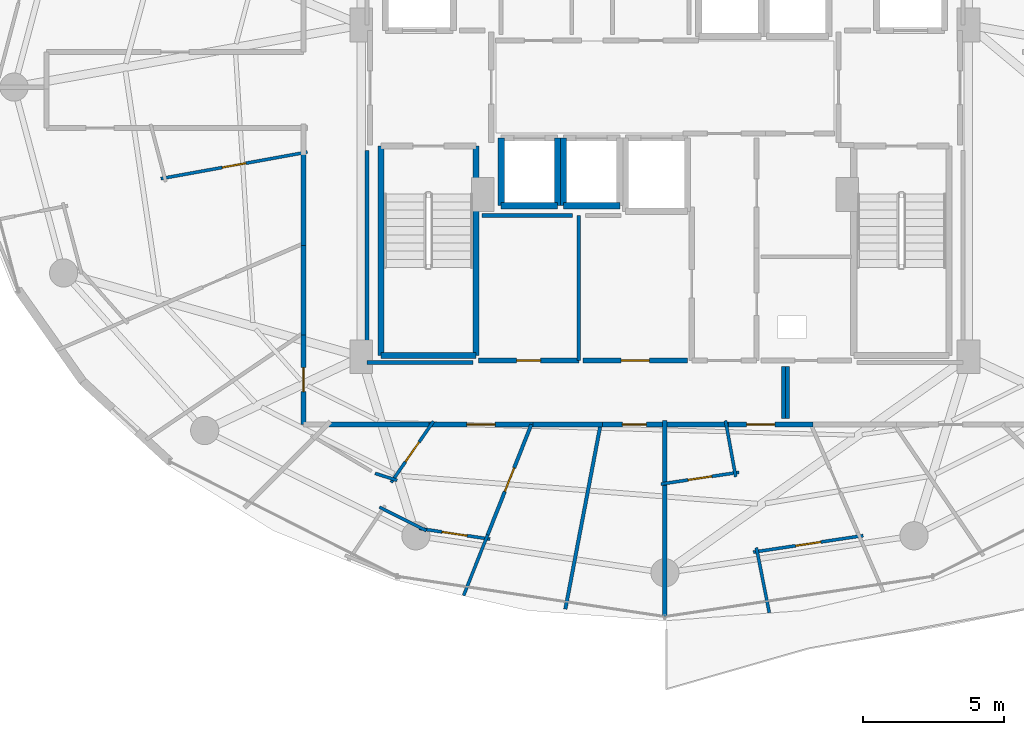
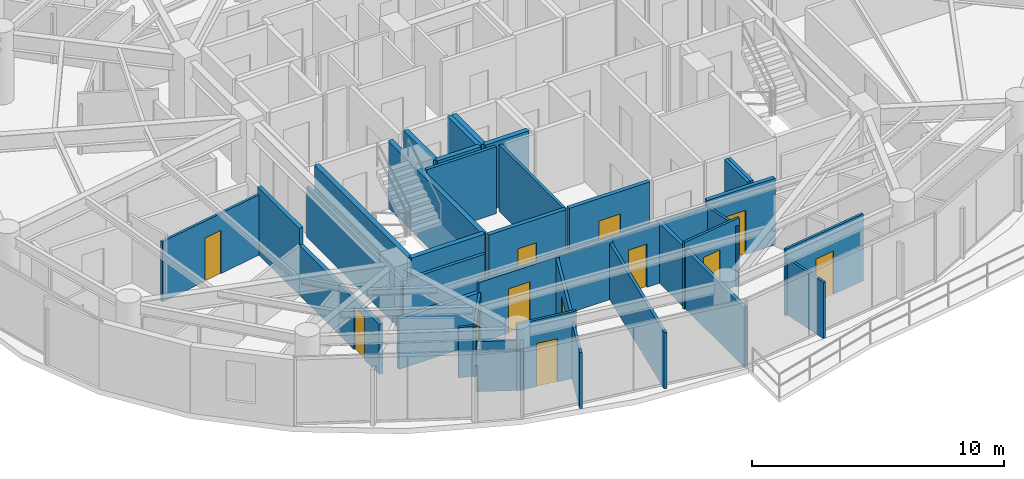
# One storey, part 22 of 31: 39 walls, 12 doors, 12 openings.
"""IFC4 building model written with IfcOpenShell, lengths in metres."""

from ifc_helpers import new_model, si_unit, direction, frame, frame_2d, origin, place, context, subcontext, project, spatial, rectangle, extrude, material, layer, layer_set, type_object, element, fill, save


model = new_model("IFC4")

# Units and contexts
model_context = context("Model", 3, precision=1e-05, world=origin(), true_north=direction((0.0, 1.0)))
body_context = subcontext(model_context, "Body", "Model", "MODEL_VIEW")
ifc_project = project(units=[si_unit("LENGTHUNIT", "METRE"), si_unit("AREAUNIT", "SQUARE_METRE"), si_unit("VOLUMEUNIT", "CUBIC_METRE"), si_unit("PLANEANGLEUNIT", "RADIAN"), si_unit("MASSUNIT", "GRAM", prefix="KILO")], contexts=[model_context])

# Site, building, storey
site_placement = place(None, origin())
site = spatial("IfcSite", under=ifc_project, at=site_placement, CompositionType="ELEMENT")
building_placement = place(site_placement, origin())
building = spatial("IfcBuilding", under=site, at=building_placement, Name="Vorneva Point Tower", CompositionType="ELEMENT")
storey_placement = place(building_placement, frame((0.0, 0.0, 132.60009765625)))
storey = spatial("IfcBuildingStorey", under=building, at=storey_placement, Name="L35", CompositionType="ELEMENT", Elevation=132.60009765625)

# Wall, opening, door
ifc_material_1 = material(Name="Fire-rated acoustic gypsum stud partition", Category="gypsum")
ifc_layer_1 = layer(ifc_material_1, 0.110107421875)
ifc_layer_set_1 = layer_set([ifc_layer_1], Name="Fire-rated acoustic gypsum stud partition")
wall_type_1 = type_object("IfcWallType", Name="WL-PART-110", PredefinedType="PARTITIONING", material=ifc_layer_set_1)
wall_1_placement = place(storey_placement, frame((25.337646484375, 23.699951171875, 0.0), z_axis=(0.0, 0.0, 1.0), x_axis=(-0.983892120625, -0.178763237197, 0.0)))
wall_1 = element("IfcWall", 1, at=wall_1_placement, inside=storey, type_object=wall_type_1, Name="L35 Interior Partition 104", PredefinedType="PARTITIONING", context=body_context, shape_type="SweptSolid", body=[
    extrude(rectangle(XDim=5.2744140625, YDim=0.110107421875, at=frame_2d((2.63720703125, 0.0))), origin(), (0.0, 0.0, 1.0), 2.921875),
])
opening_1_placement = place(wall_1_placement, frame((2.212158203125, 0.0, 0.0)))
opening_1 = element("IfcOpeningElement", 2, at=opening_1_placement, cuts=wall_1, Name="Opening ID-02", PredefinedType="OPENING", context=body_context, shape_type="SweptSolid", body=[
    extrude(rectangle(XDim=0.85009765625, YDim=2.10009765625, at=frame_2d((0.425048828125, 1.050048828125))), frame((0.0, 0.06982421875, 0.0), z_axis=(0.0, -1.0, 0.0), x_axis=(1.0, 0.0, 0.0)), (0.0, 0.0, 1.0), 0.139892578125),
])
ifc_material_2 = material(Name="Engineered oak fire-rated door leaf", Category="wood")
door_type_1 = type_object("IfcDoorType", Name="DR-BATH-850", OperationType="NOTDEFINED", PredefinedType="DOOR", material=ifc_material_2)
door_1_placement = place(opening_1_placement, origin())
door_1 = element("IfcDoor", 3, at=door_1_placement, inside=storey, type_object=door_type_1, Name="L35 Door Living and Dining Room L35-05 / Bathroom L35-05", OperationType="SINGLE_SWING_LEFT", OverallHeight=2.10009765625, OverallWidth=0.85009765625, PredefinedType="DOOR", context=body_context, shape_type="SweptSolid", body=[
    extrude(rectangle(XDim=0.85009765625, YDim=2.10009765625, at=frame_2d((0.425048828125, 1.050048828125))), frame((0.0, 0.02490234375, 0.0), z_axis=(0.0, -1.0, 0.0), x_axis=(1.0, 0.0, 0.0)), (0.0, 0.0, 1.0), 0.050048828125),
])
fill(opening_1, door_1)

wall_2_placement = place(storey_placement, frame((29.8037109375, 14.1650390625, 0.0), z_axis=(0.0, 0.0, 1.0), x_axis=(-0.569156972472, -0.822228885826, 0.0)))
wall_2 = element("IfcWall", 4, at=wall_2_placement, inside=storey, type_object=wall_type_1, Name="L35 Interior Partition 115", PredefinedType="PARTITIONING", context=body_context, shape_type="SweptSolid", body=[
    extrude(rectangle(XDim=2.634521484375, YDim=0.110107421875, at=frame_2d((1.3173828125, 0.0))), origin(), (0.0, 0.0, 1.0), 2.431884765625),
])
opening_2_placement = place(wall_2_placement, frame((0.892333984375, 0.0, 0.0)))
opening_2 = element("IfcOpeningElement", 5, at=opening_2_placement, cuts=wall_2, Name="Opening ID-02", PredefinedType="OPENING", context=body_context, shape_type="SweptSolid", body=[
    extrude(rectangle(XDim=0.85009765625, YDim=2.10009765625, at=frame_2d((0.425048828125, 1.050048828125))), frame((0.0, 0.06982421875, 0.0), z_axis=(0.0, -1.0, 0.0), x_axis=(1.0, 0.0, 0.0)), (0.0, 0.0, 1.0), 0.139892578125),
])
door_2_placement = place(opening_2_placement, origin())
door_2 = element("IfcDoor", 6, at=door_2_placement, inside=storey, type_object=door_type_1, Name="L35 Door Living and Dining Room L35-06 / Bathroom L35-06", OperationType="SINGLE_SWING_LEFT", OverallHeight=2.10009765625, OverallWidth=0.85009765625, PredefinedType="DOOR", context=body_context, shape_type="SweptSolid", body=[
    extrude(rectangle(XDim=0.85009765625, YDim=2.10009765625, at=frame_2d((0.425048828125, 1.050048828125))), frame((0.0, 0.02490234375, 0.0), z_axis=(0.0, -1.0, 0.0), x_axis=(1.0, 0.0, 0.0)), (0.0, 0.0, 1.0), 0.050048828125),
])
fill(opening_2, door_2)

# Walls
wall_3_placement = place(storey_placement, frame((28.517333984375, 12.0712890625, 0.0), z_axis=(0.0, 0.0, 1.0), x_axis=(-0.952627998304, 0.304137956932, 0.0)))
element("IfcWall", 7, at=wall_3_placement, inside=storey, type_object=wall_type_1, Name="L35 Interior Partition 116", PredefinedType="PARTITIONING", context=body_context, shape_type="SweptSolid", body=[
    extrude(rectangle(XDim=0.819580078125, YDim=0.110107421875, at=frame_2d((0.40966796875, 0.0))), origin(), (0.0, 0.0, 1.0), 2.431884765625),
])
wall_4_placement = place(storey_placement, frame((27.887939453125, 11.127197265625, 0.0), z_axis=(0.0, 0.0, 1.0), x_axis=(0.892534718882, -0.450978686403, 0.0)))
element("IfcWall", 8, at=wall_4_placement, inside=storey, type_object=wall_type_1, Name="L35 Interior Partition 119", PredefinedType="PARTITIONING", context=body_context, shape_type="SweptSolid", body=[
    extrude(rectangle(XDim=1.865478515625, YDim=0.110107421875, at=frame_2d((0.9326171875, 0.0))), origin(), (0.0, 0.0, 1.0), 2.431884765625),
])

# Wall, opening, door
wall_5_placement = place(storey_placement, frame((29.28955078125, 10.369873046875, 0.0), z_axis=(0.0, 0.0, 1.0), x_axis=(0.988887788943, -0.148663851958, 0.0)))
wall_5 = element("IfcWall", 9, at=wall_5_placement, inside=storey, type_object=wall_type_1, Name="L35 Interior Partition 120", PredefinedType="PARTITIONING", context=body_context, shape_type="SweptSolid", body=[
    extrude(rectangle(XDim=2.547119140625, YDim=0.110107421875, at=frame_2d((1.2734375, 0.0))), origin(), (0.0, 0.0, 1.0), 3.239990234375),
])
opening_3_placement = place(wall_5_placement, frame((0.823486328125, 0.0, 0.0)))
opening_3 = element("IfcOpeningElement", 10, at=opening_3_placement, cuts=wall_5, Name="Opening ID-01", PredefinedType="OPENING", context=body_context, shape_type="SweptSolid", body=[
    extrude(rectangle(XDim=0.89990234375, YDim=2.10009765625, at=frame_2d((0.449951171875, 1.050048828125))), frame((0.0, 0.06982421875, 0.0), z_axis=(0.0, -1.0, 0.0), x_axis=(1.0, 0.0, 0.0)), (0.0, 0.0, 1.0), 0.139892578125),
])
door_type_2 = type_object("IfcDoorType", Name="DR-ROOM-900", OperationType="NOTDEFINED", PredefinedType="DOOR", material=ifc_material_2)
door_3_placement = place(opening_3_placement, origin())
door_3 = element("IfcDoor", 11, at=door_3_placement, inside=storey, type_object=door_type_2, Name="L35 Door Living and Dining Room L35-06 / Kitchen L35-06", OperationType="SINGLE_SWING_RIGHT", OverallHeight=2.10009765625, OverallWidth=0.89990234375, PredefinedType="DOOR", context=body_context, shape_type="SweptSolid", body=[
    extrude(rectangle(XDim=0.89990234375, YDim=2.10009765625, at=frame_2d((0.449951171875, 1.050048828125))), frame((0.0, 0.02490234375, 0.0), z_axis=(0.0, -1.0, 0.0), x_axis=(1.0, 0.0, 0.0)), (0.0, 0.0, 1.0), 0.050048828125),
])
fill(opening_3, door_3)

# Walls
wall_6_placement = place(storey_placement, frame((31.721435546875, 10.14208984375, 0.0), z_axis=(0.0, 0.0, 1.0), x_axis=(-0.368016079814, -0.929819426017, 0.0)))
element("IfcWall", 12, at=wall_6_placement, inside=storey, type_object=wall_type_1, Name="L35 Interior Partition 121", PredefinedType="PARTITIONING", context=body_context, shape_type="SweptSolid", body=[
    extrude(rectangle(XDim=2.309326171875, YDim=0.110107421875, at=frame_2d((1.15478515625, 0.0))), origin(), (0.0, 0.0, 1.0), 2.727783203125),
])
wall_7_placement = place(storey_placement, frame((40.14599609375, 14.187744140625, 0.0), z_axis=(0.0, 0.0, 1.0), x_axis=(0.178662196449, -0.983910473346, 0.0)))
element("IfcWall", 13, at=wall_7_placement, inside=storey, type_object=wall_type_1, Name="L35 Interior Partition 127", PredefinedType="PARTITIONING", context=body_context, shape_type="SweptSolid", body=[
    extrude(rectangle(XDim=2.02099609375, YDim=0.110107421875, at=frame_2d((1.010498046875, 0.0))), origin(), (0.0, 0.0, 1.0), 2.921875),
])

# Wall, opening, door
wall_8_placement = place(storey_placement, frame((40.620361328125, 12.35791015625, 0.0), z_axis=(0.0, 0.0, 1.0), x_axis=(-0.988884941862, -0.148682789046, 0.0)))
wall_8 = element("IfcWall", 14, at=wall_8_placement, inside=storey, type_object=wall_type_1, Name="L35 Interior Partition 128", PredefinedType="PARTITIONING", context=body_context, shape_type="SweptSolid", body=[
    extrude(rectangle(XDim=2.789794921875, YDim=0.110107421875, at=frame_2d((1.39501953125, 0.0))), origin(), (0.0, 0.0, 1.0), 3.239990234375),
])
opening_4_placement = place(wall_8_placement, frame((0.969970703125, 0.0, 0.0)))
opening_4 = element("IfcOpeningElement", 15, at=opening_4_placement, cuts=wall_8, Name="Opening ID-02", PredefinedType="OPENING", context=body_context, shape_type="SweptSolid", body=[
    extrude(rectangle(XDim=0.85009765625, YDim=2.10009765625, at=frame_2d((0.425048828125, 1.050048828125))), frame((0.0, 0.06982421875, 0.0), z_axis=(0.0, -1.0, 0.0), x_axis=(1.0, 0.0, 0.0)), (0.0, 0.0, 1.0), 0.139892578125),
])
door_4_placement = place(opening_4_placement, origin())
door_4 = element("IfcDoor", 16, at=door_4_placement, inside=storey, type_object=door_type_1, Name="L35 Door Living and Dining Room L35-07 / Bathroom L35-07", OperationType="SINGLE_SWING_RIGHT", OverallHeight=2.10009765625, OverallWidth=0.85009765625, PredefinedType="DOOR", context=body_context, shape_type="SweptSolid", body=[
    extrude(rectangle(XDim=0.85009765625, YDim=2.10009765625, at=frame_2d((0.425048828125, 1.050048828125))), frame((0.0, 0.02490234375, 0.0), z_axis=(0.0, -1.0, 0.0), x_axis=(1.0, 0.0, 0.0)), (0.0, 0.0, 1.0), 0.050048828125),
])
fill(opening_4, door_4)

wall_9_placement = place(storey_placement, frame((41.127685546875, 9.5302734375, 0.0), z_axis=(0.0, 0.0, 1.0), x_axis=(0.988884902331, 0.148683051965, 0.0)))
wall_9 = element("IfcWall", 17, at=wall_9_placement, inside=storey, type_object=wall_type_1, Name="L35 Interior Partition 129", PredefinedType="PARTITIONING", context=body_context, shape_type="SweptSolid", body=[
    extrude(rectangle(XDim=3.9375, YDim=0.110107421875, at=frame_2d((1.96875, 0.0))), origin(), (0.0, 0.0, 1.0), 3.239990234375),
])
opening_5_placement = place(wall_9_placement, frame((1.518798828125, 0.0, 0.0)))
opening_5 = element("IfcOpeningElement", 18, at=opening_5_placement, cuts=wall_9, Name="Opening ID-01", PredefinedType="OPENING", context=body_context, shape_type="SweptSolid", body=[
    extrude(rectangle(XDim=0.89990234375, YDim=2.10009765625, at=frame_2d((0.449951171875, 1.050048828125))), frame((0.0, 0.06982421875, 0.0), z_axis=(0.0, -1.0, 0.0), x_axis=(1.0, 0.0, 0.0)), (0.0, 0.0, 1.0), 0.139892578125),
])
door_5_placement = place(opening_5_placement, origin())
door_5 = element("IfcDoor", 19, at=door_5_placement, inside=storey, type_object=door_type_2, Name="L35 Door Living and Dining Room L35-07 / Kitchen L35-07", OperationType="SINGLE_SWING_LEFT", OverallHeight=2.10009765625, OverallWidth=0.89990234375, PredefinedType="DOOR", context=body_context, shape_type="SweptSolid", body=[
    extrude(rectangle(XDim=0.89990234375, YDim=2.10009765625, at=frame_2d((0.449951171875, 1.050048828125))), frame((0.0, 0.02490234375, 0.0), z_axis=(0.0, -1.0, 0.0), x_axis=(1.0, 0.0, 0.0)), (0.0, 0.0, 1.0), 0.050048828125),
])
fill(opening_5, door_5)

# Walls
wall_10_placement = place(storey_placement, frame((41.6962890625, 7.38671875, 0.0), z_axis=(0.0, 0.0, 1.0), x_axis=(-0.194975537261, 0.980808105528, 0.0)))
element("IfcWall", 20, at=wall_10_placement, inside=storey, type_object=wall_type_1, Name="L35 Interior Partition 130", PredefinedType="PARTITIONING", context=body_context, shape_type="SweptSolid", body=[
    extrude(rectangle(XDim=2.346435546875, YDim=0.110107421875, at=frame_2d((1.17333984375, 0.0))), origin(), (0.0, 0.0, 1.0), 2.727783203125),
])
ifc_layer_2 = layer(ifc_material_1, 0.125)
ifc_layer_set_2 = layer_set([ifc_layer_2], Name="Fire-rated acoustic gypsum stud partition")
wall_type_2 = type_object("IfcWallType", Name="WL-PART-125", PredefinedType="PARTITIONING", material=ifc_layer_set_2)
wall_11_placement = place(storey_placement, frame((34.949951171875, 16.320068359375, 0.0), z_axis=(0.0, 0.0, 1.0), x_axis=(0.0, 1.0, 0.0)))
element("IfcWall", 21, at=wall_11_placement, inside=storey, type_object=wall_type_2, Name="L35 Interior Partition 031", PredefinedType="PARTITIONING", context=body_context, shape_type="SweptSolid", body=[
    extrude(rectangle(XDim=5.1298828125, YDim=0.125, at=frame_2d((2.56494140625, 0.0))), origin(), (0.0, 0.0, 1.0), 3.239990234375),
])

# Wall, opening, door
wall_12_placement = place(storey_placement, frame((31.7216796875, 10.14208984375, 0.0), z_axis=(0.0, 0.0, 1.0), x_axis=(0.368143652048, 0.929768923688, 0.0)))
wall_12 = element("IfcWall", 22, at=wall_12_placement, inside=storey, type_object=wall_type_2, Name="L35 Interior Partition 123", PredefinedType="PARTITIONING", context=body_context, shape_type="SweptSolid", body=[
    extrude(rectangle(XDim=4.203125, YDim=0.125, at=frame_2d((2.1015625, 0.0))), origin(), (0.0, 0.0, 1.0), 2.8740234375),
])
opening_6_placement = place(wall_12_placement, frame((1.651611328125, 0.0, 0.0)))
opening_6 = element("IfcOpeningElement", 23, at=opening_6_placement, cuts=wall_12, Name="Opening ID-01", PredefinedType="OPENING", context=body_context, shape_type="SweptSolid", body=[
    extrude(rectangle(XDim=0.89990234375, YDim=2.10009765625, at=frame_2d((0.449951171875, 1.050048828125))), frame((0.0, 0.077392578125, 0.0), z_axis=(0.0, -1.0, 0.0), x_axis=(1.0, 0.0, 0.0)), (0.0, 0.0, 1.0), 0.15478515625),
])
door_6_placement = place(opening_6_placement, origin())
door_6 = element("IfcDoor", 24, at=door_6_placement, inside=storey, type_object=door_type_2, Name="L35 Door Living and Dining Room L35-06 / Master Bedroom L35-06.1", OperationType="SINGLE_SWING_LEFT", OverallHeight=2.10009765625, OverallWidth=0.89990234375, PredefinedType="DOOR", context=body_context, shape_type="SweptSolid", body=[
    extrude(rectangle(XDim=0.89990234375, YDim=2.10009765625, at=frame_2d((0.449951171875, 1.050048828125))), frame((0.0, 0.02490234375, 0.0), z_axis=(0.0, -1.0, 0.0), x_axis=(1.0, 0.0, 0.0)), (0.0, 0.0, 1.0), 0.050048828125),
])
fill(opening_6, door_6)

# Walls
wall_13_placement = place(storey_placement, frame((34.47412109375, 7.512939453125, 0.0), z_axis=(0.0, 0.0, 1.0), x_axis=(0.187211570084, 0.982319616025, 0.0)))
element("IfcWall", 25, at=wall_13_placement, inside=storey, type_object=wall_type_2, Name="L35 Interior Partition 124", PredefinedType="PARTITIONING", context=body_context, shape_type="SweptSolid", body=[
    extrude(rectangle(XDim=6.65478515625, YDim=0.125, at=frame_2d((3.327392578125, 0.0))), origin(), (0.0, 0.0, 1.0), 2.727783203125),
])
ifc_layer_3 = layer(ifc_material_1, 0.139892578125)
ifc_layer_set_3 = layer_set([ifc_layer_3], Name="Fire-rated acoustic gypsum stud partition")
wall_type_3 = type_object("IfcWallType", Name="WL-PART-140", PredefinedType="PARTITIONING", material=ifc_layer_set_3)
wall_14_placement = place(storey_placement, frame((34.72998046875, 21.449951171875, 0.0), z_axis=(0.0, 0.0, 1.0), x_axis=(-1.0, 0.0, 0.0)))
element("IfcWall", 26, at=wall_14_placement, inside=storey, type_object=wall_type_3, Name="L35 Interior Closure Partition 139", PredefinedType="PARTITIONING", context=body_context, shape_type="SweptSolid", body=[
    extrude(rectangle(XDim=3.199951171875, YDim=0.139892578125, at=frame_2d((1.60009765625, 0.0))), origin(), (0.0, 0.0, 1.0), 3.239990234375),
])
wall_15_placement = place(storey_placement, frame((27.449951171875, 23.75390625, 0.0), z_axis=(0.0, 0.0, 1.0), x_axis=(0.0, -1.0, 0.0)))
element("IfcWall", 27, at=wall_15_placement, inside=storey, type_object=wall_type_3, Name="L35 Interior Closure Partition 150", PredefinedType="PARTITIONING", context=body_context, shape_type="SweptSolid", body=[
    extrude(rectangle(XDim=7.513916015625, YDim=0.139892578125, at=frame_2d((3.7568359375, 0.0))), origin(), (0.0, 0.0, 1.0), 2.431884765625),
])
wall_16_placement = place(storey_placement, frame((27.449951171875, 16.239990234375, 0.0), z_axis=(0.0, 0.0, 1.0), x_axis=(1.0, 0.0, 0.0)))
element("IfcWall", 28, at=wall_16_placement, inside=storey, type_object=wall_type_3, Name="L35 Interior Closure Partition 151", PredefinedType="PARTITIONING", context=body_context, shape_type="SweptSolid", body=[
    extrude(rectangle(XDim=3.7451171875, YDim=0.139892578125, at=frame_2d((1.87255859375, 0.0))), origin(), (0.0, 0.0, 1.0), 2.431884765625),
])
for number, where, z_axis, x_axis, name in (
    (29, (42.199951171875, 16.10009765625, 0.0), (0.0, 0.0, 1.0), (0.0, -1.0, 0.0), "L35 Interior Closure Partition 152"),
    (30, (42.340087890625, 14.27001953125, 0.0), (0.0, 0.0, 1.0), (0.0, 1.0, 0.0), "L35 Interior Closure Partition 153"),
):
    element("IfcWall", number, at=place(storey_placement, frame(where, z_axis=z_axis, x_axis=x_axis)), inside=storey, type_object=wall_type_3, Name=name, PredefinedType="PARTITIONING", context=body_context, shape_type="SweptSolid", body=[
        extrude(rectangle(XDim=1.830078125, YDim=0.139892578125, at=frame_2d((0.9150390625, 0.0))), origin(), (0.0, 0.0, 1.0), 3.239990234375),
    ])
ifc_layer_4 = layer(ifc_material_1, 0.159912109375)
ifc_layer_set_4 = layer_set([ifc_layer_4], Name="Fire-rated acoustic gypsum stud partition")
wall_type_4 = type_object("IfcWallType", Name="WL-PART-160", PredefinedType="PARTITIONING", material=ifc_layer_set_4)
wall_17_placement = place(storey_placement, frame((38.0, 7.25, 0.0), z_axis=(0.0, 0.0, 1.0), x_axis=(0.0, 1.0, 0.0)))
element("IfcWall", 31, at=wall_17_placement, inside=storey, type_object=wall_type_4, Name="L35 Interior Partition 125", PredefinedType="PARTITIONING", context=body_context, shape_type="SweptSolid", body=[
    extrude(rectangle(XDim=4.77490234375, YDim=0.159912109375, at=frame_2d((2.387451171875, 0.0))), origin(), (0.0, 0.0, 1.0), 2.8740234375),
])
wall_18_placement = place(storey_placement, frame((38.0, 11.885009765625, 0.0), z_axis=(0.0, 0.0, 1.0), x_axis=(0.0, 1.0, 0.0)))
element("IfcWall", 32, at=wall_18_placement, inside=storey, type_object=wall_type_4, Name="L35 Interior Partition 126", PredefinedType="PARTITIONING", context=body_context, shape_type="SweptSolid", body=[
    extrude(rectangle(XDim=2.304931640625, YDim=0.159912109375, at=frame_2d((1.15234375, 0.0))), origin(), (0.0, 0.0, 1.0), 2.921875),
])

# Wall, opening, door
ifc_material_3 = material(Name="Autoclaved aerated concrete blockwork", Category="masonry")
ifc_layer_5 = layer(ifc_material_3, 0.179931640625)
ifc_layer_set_5 = layer_set([ifc_layer_5], Name="Autoclaved aerated concrete blockwork")
wall_type_5 = type_object("IfcWallType", Name="WL-PART-180", PredefinedType="PARTITIONING", material=ifc_layer_set_5)
wall_19_placement = place(storey_placement, frame((31.39990234375, 16.320068359375, 0.0), z_axis=(0.0, 0.0, 1.0), x_axis=(1.0, 0.0, 0.0)))
wall_19 = element("IfcWall", 33, at=wall_19_placement, inside=storey, type_object=wall_type_5, Name="L35 Interior Partition 032", PredefinedType="PARTITIONING", context=body_context, shape_type="SweptSolid", body=[
    extrude(rectangle(XDim=3.550048828125, YDim=0.179931640625, at=frame_2d((1.77490234375, 0.0))), origin(), (0.0, 0.0, 1.0), 3.239990234375),
])
opening_7_placement = place(wall_19_placement, frame((1.35009765625, 0.0, 0.0)))
opening_7 = element("IfcOpeningElement", 34, at=opening_7_placement, cuts=wall_19, Name="Opening ID-02", PredefinedType="OPENING", context=body_context, shape_type="SweptSolid", body=[
    extrude(rectangle(XDim=0.85009765625, YDim=2.10009765625, at=frame_2d((0.425048828125, 1.050048828125))), frame((0.0, 0.10498046875, 0.0), z_axis=(0.0, -1.0, 0.0), x_axis=(1.0, 0.0, 0.0)), (0.0, 0.0, 1.0), 0.209716796875),
])
door_7_placement = place(opening_7_placement, origin())
door_7 = element("IfcDoor", 35, at=door_7_placement, inside=storey, type_object=door_type_1, Name="L35 Door Luggage Store / L35 Circulation Corridor", OperationType="SINGLE_SWING_LEFT", OverallHeight=2.10009765625, OverallWidth=0.85009765625, PredefinedType="DOOR", context=body_context, shape_type="SweptSolid", body=[
    extrude(rectangle(XDim=0.85009765625, YDim=2.10009765625, at=frame_2d((0.425048828125, 1.050048828125))), frame((0.0, 0.02490234375, 0.0), z_axis=(0.0, -1.0, 0.0), x_axis=(1.0, 0.0, 0.0)), (0.0, 0.0, 1.0), 0.050048828125),
])
fill(opening_7, door_7)

wall_20_placement = place(storey_placement, frame((35.10009765625, 16.320068359375, 0.0), z_axis=(0.0, 0.0, 1.0), x_axis=(1.0, 0.0, 0.0)))
wall_20 = element("IfcWall", 36, at=wall_20_placement, inside=storey, type_object=wall_type_5, Name="L35 Interior Partition 033", PredefinedType="PARTITIONING", context=body_context, shape_type="SweptSolid", body=[
    extrude(rectangle(XDim=3.699951171875, YDim=0.179931640625, at=frame_2d((1.85009765625, 0.0))), origin(), (0.0, 0.0, 1.0), 3.239990234375),
])
opening_8_placement = place(wall_20_placement, frame((1.35009765625, 0.0, 0.0)))
opening_8 = element("IfcOpeningElement", 37, at=opening_8_placement, cuts=wall_20, Name="Opening UD-01", PredefinedType="OPENING", context=body_context, shape_type="SweptSolid", body=[
    extrude(rectangle(XDim=1.0, YDim=2.14990234375, at=frame_2d((0.5, 1.074951171875))), frame((0.0, 0.10498046875, 0.0), z_axis=(0.0, -1.0, 0.0), x_axis=(1.0, 0.0, 0.0)), (0.0, 0.0, 1.0), 0.209716796875),
])
door_type_3 = type_object("IfcDoorType", Name="DR-UNIT-1000", OperationType="NOTDEFINED", PredefinedType="DOOR", material=ifc_material_2)
door_8_placement = place(opening_8_placement, origin())
door_8 = element("IfcDoor", 38, at=door_8_placement, inside=storey, type_object=door_type_3, Name="L35 Door Staff Service Pantry / L35 Circulation Corridor", OperationType="SINGLE_SWING_RIGHT", OverallHeight=2.14990234375, OverallWidth=1.0, PredefinedType="DOOR", context=body_context, shape_type="SweptSolid", body=[
    extrude(rectangle(XDim=1.0, YDim=2.14990234375, at=frame_2d((0.5, 1.074951171875))), frame((0.0, 0.02490234375, 0.0), z_axis=(0.0, -1.0, 0.0), x_axis=(1.0, 0.0, 0.0)), (0.0, 0.0, 1.0), 0.050048828125),
])
fill(opening_8, door_8)

# Walls
wall_21_placement = place(storey_placement, frame((25.199951171875, 23.735107421875, 0.0), z_axis=(0.0, 0.0, 1.0), x_axis=(0.0, -1.0, 0.0)))
element("IfcWall", 39, at=wall_21_placement, inside=storey, type_object=wall_type_5, Name="L35 Interior Partition 051", PredefinedType="PARTITIONING", context=body_context, shape_type="SweptSolid", body=[
    extrude(rectangle(XDim=3.339111328125, YDim=0.179931640625, at=frame_2d((1.66943359375, 0.0))), origin(), (0.0, 0.0, 1.0), 3.239990234375),
])
wall_22_placement = place(storey_placement, frame((25.199951171875, 20.39599609375, 0.0), z_axis=(0.0, 0.0, 1.0), x_axis=(0.0, -1.0, 0.0)))
element("IfcWall", 40, at=wall_22_placement, inside=storey, type_object=wall_type_5, Name="L35 Interior Partition 054", PredefinedType="PARTITIONING", context=body_context, shape_type="SweptSolid", body=[
    extrude(rectangle(XDim=3.16796875, YDim=0.179931640625, at=frame_2d((1.583984375, 0.0))), origin(), (0.0, 0.0, 1.0), 2.431884765625),
])

# Wall, opening, door
wall_23_placement = place(storey_placement, frame((25.199951171875, 17.22802734375, 0.0), z_axis=(0.0, 0.0, 1.0), x_axis=(0.0, -1.0, 0.0)))
wall_23 = element("IfcWall", 41, at=wall_23_placement, inside=storey, type_object=wall_type_5, Name="L35 Interior Partition 055", PredefinedType="PARTITIONING", context=body_context, shape_type="SweptSolid", body=[
    extrude(rectangle(XDim=3.177978515625, YDim=0.179931640625, at=frame_2d((1.5888671875, 0.0))), origin(), (0.0, 0.0, 1.0), 2.431884765625),
])
opening_9_placement = place(wall_23_placement, frame((1.1640625, 0.0, 0.0)))
opening_9 = element("IfcOpeningElement", 42, at=opening_9_placement, cuts=wall_23, Name="Opening ID-02", PredefinedType="OPENING", context=body_context, shape_type="SweptSolid", body=[
    extrude(rectangle(XDim=0.85009765625, YDim=2.10009765625, at=frame_2d((0.425048828125, 1.050048828125))), frame((0.0, 0.10498046875, 0.0), z_axis=(0.0, -1.0, 0.0), x_axis=(1.0, 0.0, 0.0)), (0.0, 0.0, 1.0), 0.209716796875),
])
door_9_placement = place(opening_9_placement, origin())
door_9 = element("IfcDoor", 43, at=door_9_placement, inside=storey, type_object=door_type_1, Name="L35 Access Door L35 Circulation Corridor", OperationType="SINGLE_SWING_LEFT", OverallHeight=2.10009765625, OverallWidth=0.85009765625, PredefinedType="DOOR", context=body_context, shape_type="SweptSolid", body=[
    extrude(rectangle(XDim=0.85009765625, YDim=2.10009765625, at=frame_2d((0.425048828125, 1.050048828125))), frame((0.0, 0.02490234375, 0.0), z_axis=(0.0, -1.0, 0.0), x_axis=(1.0, 0.0, 0.0)), (0.0, 0.0, 1.0), 0.050048828125),
])
fill(opening_9, door_9)

wall_24_placement = place(storey_placement, frame((29.65087890625, 14.050048828125, 0.0), z_axis=(0.0, 0.0, 1.0), x_axis=(1.0, 0.0, 0.0)))
wall_24 = element("IfcWall", 44, at=wall_24_placement, inside=storey, type_object=wall_type_5, Name="L35 Interior Partition 057", PredefinedType="PARTITIONING", context=body_context, shape_type="SweptSolid", body=[
    extrude(rectangle(XDim=3.67822265625, YDim=0.179931640625, at=frame_2d((1.839111328125, 0.0))), origin(), (0.0, 0.0, 1.0), 2.921875),
])
opening_10_placement = place(wall_24_placement, frame((1.339111328125, 0.0, 0.0)))
opening_10 = element("IfcOpeningElement", 45, at=opening_10_placement, cuts=wall_24, Name="Opening UD-01", PredefinedType="OPENING", context=body_context, shape_type="SweptSolid", body=[
    extrude(rectangle(XDim=1.0, YDim=2.14990234375, at=frame_2d((0.5, 1.074951171875))), frame((0.0, 0.10498046875, 0.0), z_axis=(0.0, -1.0, 0.0), x_axis=(1.0, 0.0, 0.0)), (0.0, 0.0, 1.0), 0.209716796875),
])
door_10_placement = place(opening_10_placement, origin())
door_10 = element("IfcDoor", 46, at=door_10_placement, inside=storey, type_object=door_type_3, Name="L35 Door L35 Circulation Corridor / Living and Dining Room L35-06", OperationType="SINGLE_SWING_RIGHT", OverallHeight=2.14990234375, OverallWidth=1.0, PredefinedType="DOOR", context=body_context, shape_type="SweptSolid", body=[
    extrude(rectangle(XDim=1.0, YDim=2.14990234375, at=frame_2d((0.5, 1.074951171875))), frame((0.0, 0.02490234375, 0.0), z_axis=(0.0, -1.0, 0.0), x_axis=(1.0, 0.0, 0.0)), (0.0, 0.0, 1.0), 0.050048828125),
])
fill(opening_10, door_10)

# Walls
wall_25_placement = place(storey_placement, frame((25.969970703125, 14.050048828125, 0.0), z_axis=(0.0, 0.0, 1.0), x_axis=(1.0, 0.0, 0.0)))
element("IfcWall", 47, at=wall_25_placement, inside=storey, type_object=wall_type_5, Name="L35 Interior Partition 058", PredefinedType="PARTITIONING", context=body_context, shape_type="SweptSolid", body=[
    extrude(rectangle(XDim=3.821044921875, YDim=0.179931640625, at=frame_2d((1.91064453125, 0.0))), origin(), (0.0, 0.0, 1.0), 2.431884765625),
])
wall_26_placement = place(storey_placement, frame((33.3291015625, 14.050048828125, 0.0), z_axis=(0.0, 0.0, 1.0), x_axis=(1.0, 0.0, 0.0)))
element("IfcWall", 48, at=wall_26_placement, inside=storey, type_object=wall_type_5, Name="L35 Interior Partition 059", PredefinedType="PARTITIONING", context=body_context, shape_type="SweptSolid", body=[
    extrude(rectangle(XDim=2.450927734375, YDim=0.179931640625, at=frame_2d((1.2255859375, 0.0))), origin(), (0.0, 0.0, 1.0), 2.921875),
])

# Wall, opening, door
wall_27_placement = place(storey_placement, frame((35.780029296875, 14.050048828125, 0.0), z_axis=(0.0, 0.0, 1.0), x_axis=(1.0, 0.0, 0.0)))
wall_27 = element("IfcWall", 49, at=wall_27_placement, inside=storey, type_object=wall_type_5, Name="L35 Interior Partition 060", PredefinedType="PARTITIONING", context=body_context, shape_type="SweptSolid", body=[
    extrude(rectangle(XDim=2.280029296875, YDim=0.179931640625, at=frame_2d((1.14013671875, 0.0))), origin(), (0.0, 0.0, 1.0), 2.921875),
])
opening_11_placement = place(wall_27_placement, frame((0.715087890625, 0.0, 0.0)))
opening_11 = element("IfcOpeningElement", 50, at=opening_11_placement, cuts=wall_27, Name="Opening ID-02", PredefinedType="OPENING", context=body_context, shape_type="SweptSolid", body=[
    extrude(rectangle(XDim=0.85009765625, YDim=2.10009765625, at=frame_2d((0.425048828125, 1.050048828125))), frame((0.0, 0.10498046875, 0.0), z_axis=(0.0, -1.0, 0.0), x_axis=(1.0, 0.0, 0.0)), (0.0, 0.0, 1.0), 0.209716796875),
])
door_11_placement = place(opening_11_placement, origin())
door_11 = element("IfcDoor", 51, at=door_11_placement, inside=storey, type_object=door_type_1, Name="L35 Access Door L35 Circulation Corridor", OperationType="SINGLE_SWING_RIGHT", OverallHeight=2.10009765625, OverallWidth=0.85009765625, PredefinedType="DOOR", context=body_context, shape_type="SweptSolid", body=[
    extrude(rectangle(XDim=0.85009765625, YDim=2.10009765625, at=frame_2d((0.425048828125, 1.050048828125))), frame((0.0, 0.02490234375, 0.0), z_axis=(0.0, -1.0, 0.0), x_axis=(1.0, 0.0, 0.0)), (0.0, 0.0, 1.0), 0.050048828125),
])
fill(opening_11, door_11)

wall_28_placement = place(storey_placement, frame((40.111083984375, 14.050048828125, 0.0), z_axis=(0.0, 0.0, 1.0), x_axis=(1.0, 0.0, 0.0)))
wall_28 = element("IfcWall", 52, at=wall_28_placement, inside=storey, type_object=wall_type_5, Name="L35 Interior Partition 061", PredefinedType="PARTITIONING", context=body_context, shape_type="SweptSolid", body=[
    extrude(rectangle(XDim=3.125, YDim=0.179931640625, at=frame_2d((1.5625, 0.0))), origin(), (0.0, 0.0, 1.0), 3.239990234375),
])
opening_12_placement = place(wall_28_placement, frame((0.782470703125, 0.0, 0.0)))
opening_12 = element("IfcOpeningElement", 53, at=opening_12_placement, cuts=wall_28, Name="Opening UD-01", PredefinedType="OPENING", context=body_context, shape_type="SweptSolid", body=[
    extrude(rectangle(XDim=1.0, YDim=2.14990234375, at=frame_2d((0.5, 1.074951171875))), frame((0.0, 0.10498046875, 0.0), z_axis=(0.0, -1.0, 0.0), x_axis=(1.0, 0.0, 0.0)), (0.0, 0.0, 1.0), 0.209716796875),
])
door_12_placement = place(opening_12_placement, origin())
door_12 = element("IfcDoor", 54, at=door_12_placement, inside=storey, type_object=door_type_3, Name="L35 Door L35 Circulation Corridor / Living and Dining Room L35-07", OperationType="SINGLE_SWING_LEFT", OverallHeight=2.14990234375, OverallWidth=1.0, PredefinedType="DOOR", context=body_context, shape_type="SweptSolid", body=[
    extrude(rectangle(XDim=1.0, YDim=2.14990234375, at=frame_2d((0.5, 1.074951171875))), frame((0.0, 0.02490234375, 0.0), z_axis=(0.0, -1.0, 0.0), x_axis=(1.0, 0.0, 0.0)), (0.0, 0.0, 1.0), 0.050048828125),
])
fill(opening_12, door_12)

# Walls
wall_29_placement = place(storey_placement, frame((37.919921875, 14.050048828125, 0.0), z_axis=(0.0, 0.0, 1.0), x_axis=(1.0, 0.0, 0.0)))
element("IfcWall", 55, at=wall_29_placement, inside=storey, type_object=wall_type_5, Name="L35 Interior Partition 062", PredefinedType="PARTITIONING", context=body_context, shape_type="SweptSolid", body=[
    extrude(rectangle(XDim=2.3310546875, YDim=0.179931640625, at=frame_2d((1.16552734375, 0.0))), origin(), (0.0, 0.0, 1.0), 2.921875),
])
ifc_material_4 = material(Name="Concrete B50 (C40/50)", Category="concrete")
ifc_layer_6 = layer(ifc_material_4, 0.219970703125)
ifc_layer_set_6 = layer_set([ifc_layer_6], Name="Concrete B50 (C40/50)")
wall_type_6 = type_object("IfcWallType", Name="WL-SHFT-220", PredefinedType="SOLIDWALL", material=ifc_layer_set_6)
wall_30_placement = place(storey_placement, frame((31.31005859375, 23.909912109375, 0.0), z_axis=(0.0, 0.0, 1.0), x_axis=(0.0, -1.0, 0.0)))
element("IfcWall", 56, at=wall_30_placement, inside=storey, type_object=wall_type_6, Name="L35 Exit Stair ST1 Shaft Wall right", PredefinedType="SOLIDWALL", context=body_context, shape_type="SweptSolid", body=[
    extrude(rectangle(XDim=7.419921875, YDim=0.219970703125, at=frame_2d((3.7099609375, 0.0))), origin(), (0.0, 0.0, 1.0), 3.239990234375),
])
wall_31_placement = place(storey_placement, frame((31.31005859375, 16.489990234375, 0.0), z_axis=(0.0, 0.0, 1.0), x_axis=(-1.0, 0.0, 0.0)))
element("IfcWall", 57, at=wall_31_placement, inside=storey, type_object=wall_type_6, Name="L35 Exit Stair ST1 Shaft Wall far", PredefinedType="SOLIDWALL", context=body_context, shape_type="SweptSolid", body=[
    extrude(rectangle(XDim=3.3701171875, YDim=0.219970703125, at=frame_2d((1.68505859375, 0.0))), origin(), (0.0, 0.0, 1.0), 3.239990234375),
])
wall_32_placement = place(storey_placement, frame((27.93994140625, 16.489990234375, 0.0), z_axis=(0.0, 0.0, 1.0), x_axis=(0.0, 1.0, 0.0)))
element("IfcWall", 58, at=wall_32_placement, inside=storey, type_object=wall_type_6, Name="L35 Exit Stair ST1 Shaft Wall left", PredefinedType="SOLIDWALL", context=body_context, shape_type="SweptSolid", body=[
    extrude(rectangle(XDim=7.419921875, YDim=0.219970703125, at=frame_2d((3.7099609375, 0.0))), origin(), (0.0, 0.0, 1.0), 3.239990234375),
])
wall_33_placement = place(storey_placement, frame((32.199951171875, 21.800048828125, 0.0), z_axis=(0.0, 0.0, 1.0), x_axis=(1.0, 0.0, 0.0)))
element("IfcWall", 59, at=wall_33_placement, inside=storey, type_object=wall_type_6, Name="L35 Lift PL4 Shaft Wall -Y", PredefinedType="SOLIDWALL", context=body_context, shape_type="SweptSolid", body=[
    extrude(rectangle(XDim=2.0, YDim=0.219970703125, at=frame_2d((1.0, 0.0))), origin(), (0.0, 0.0, 1.0), 3.239990234375),
])
for number, where, z_axis, x_axis, name in (
    (60, (34.199951171875, 21.800048828125, 0.0), (0.0, 0.0, 1.0), (0.0, 1.0, 0.0), "L35 Lift PL4 Shaft Wall +X"),
    (61, (32.199951171875, 24.199951171875, 0.0), (0.0, 0.0, 1.0), (0.0, -1.0, 0.0), "L35 Lift PL4 Shaft Wall -X"),
):
    element("IfcWall", number, at=place(storey_placement, frame(where, z_axis=z_axis, x_axis=x_axis)), inside=storey, type_object=wall_type_6, Name=name, PredefinedType="SOLIDWALL", context=body_context, shape_type="SweptSolid", body=[
        extrude(rectangle(XDim=2.39990234375, YDim=0.219970703125, at=frame_2d((1.199951171875, 0.0))), origin(), (0.0, 0.0, 1.0), 3.239990234375),
    ])
wall_34_placement = place(storey_placement, frame((34.39990234375, 21.800048828125, 0.0), z_axis=(0.0, 0.0, 1.0), x_axis=(1.0, 0.0, 0.0)))
element("IfcWall", 62, at=wall_34_placement, inside=storey, type_object=wall_type_6, Name="L35 Lift PL5 Shaft Wall -Y", PredefinedType="SOLIDWALL", context=body_context, shape_type="SweptSolid", body=[
    extrude(rectangle(XDim=2.0, YDim=0.219970703125, at=frame_2d((1.0, 0.0))), origin(), (0.0, 0.0, 1.0), 3.239990234375),
])
wall_35_placement = place(storey_placement, frame((34.39990234375, 24.199951171875, 0.0), z_axis=(0.0, 0.0, 1.0), x_axis=(0.0, -1.0, 0.0)))
element("IfcWall", 63, at=wall_35_placement, inside=storey, type_object=wall_type_6, Name="L35 Lift PL5 Shaft Wall -X", PredefinedType="SOLIDWALL", context=body_context, shape_type="SweptSolid", body=[
    extrude(rectangle(XDim=2.39990234375, YDim=0.219970703125, at=frame_2d((1.199951171875, 0.0))), origin(), (0.0, 0.0, 1.0), 3.239990234375),
])

save(model, "model.ifc")
